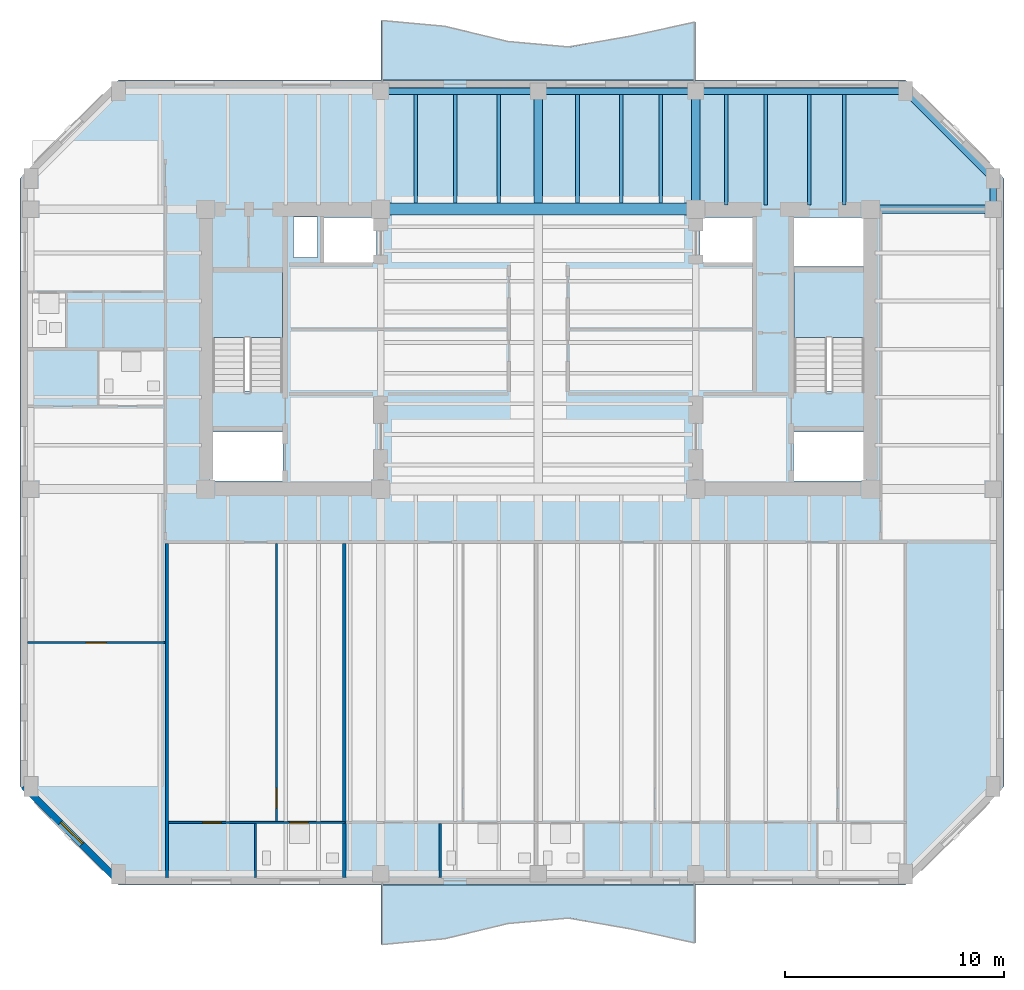
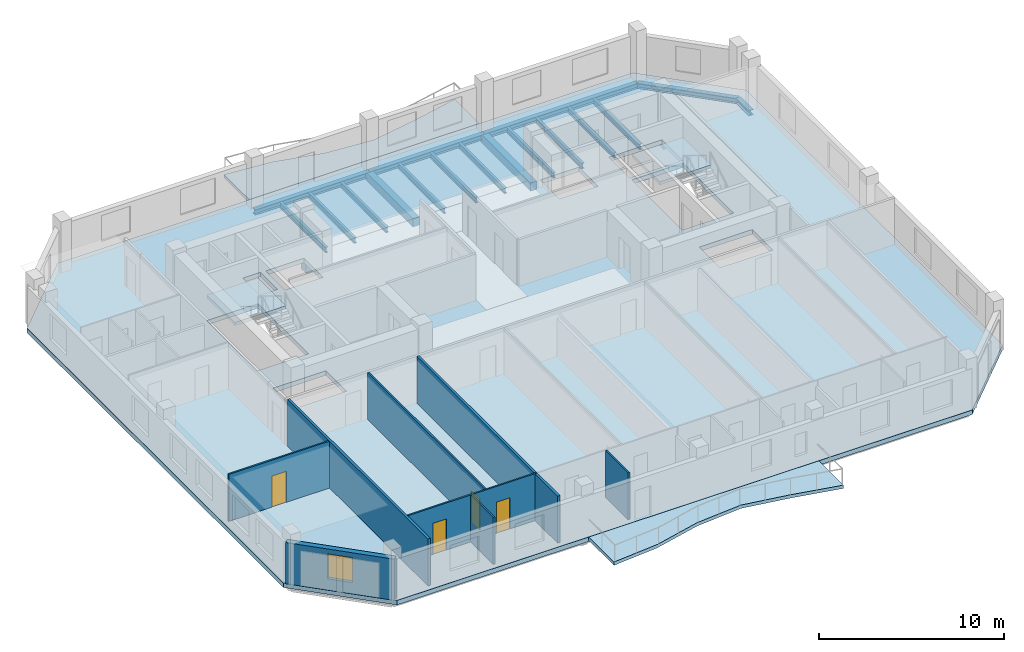
# One storey, part 2 of 11: 19 beams, 8 walls, 5 slabs, 4 doors, 1 window, 5 openings, 2 elements without a shape of their own.
"""IFC4 building model written with IfcOpenShell, lengths in metres."""

from ifc_helpers import new_model, si_unit, direction, frame, frame_2d, origin, origin_2d, place, context, subcontext, project, spatial, polyline, rectangle, i_section, outline, extrude, material, layer, layer_set, material_profile, profile_set, type_object, element, fill, aggregate, save


model = new_model("IFC4")

# Units and contexts
model_context = context("Model", 3, precision=1e-05, world=origin(), true_north=direction((0.0, 1.0)))
body_context = subcontext(model_context, "Body", "Model", "MODEL_VIEW")
ifc_project = project(units=[si_unit("LENGTHUNIT", "METRE"), si_unit("AREAUNIT", "SQUARE_METRE"), si_unit("VOLUMEUNIT", "CUBIC_METRE"), si_unit("PLANEANGLEUNIT", "RADIAN"), si_unit("MASSUNIT", "GRAM", prefix="KILO")], contexts=[model_context])

# Site, building, storey
site_placement = place(None, origin())
site = spatial("IfcSite", under=ifc_project, at=site_placement, CompositionType="ELEMENT")
building_placement = place(site_placement, origin())
building = spatial("IfcBuilding", under=site, at=building_placement, Name="Kranthara Brick Stack", CompositionType="ELEMENT")
storey_placement = place(building_placement, frame((0.0, 0.0, 221.10009765625)))
storey = spatial("IfcBuildingStorey", under=building, at=storey_placement, Name="L57", CompositionType="ELEMENT", Elevation=221.10009765625)

# Beams
ifc_material_1 = material(Name="Concrete C50/60", Category="concrete")
ifc_material_profile_1 = material_profile(ifc_material_1, rectangle(XDim=0.550048828125, YDim=0.85009765625, at=origin_2d()), Name="RC 550x850")
ifc_profile_set_1 = profile_set([ifc_material_profile_1], Name="Concrete C50/60")
beam_type_1 = type_object("IfcBeamType", Name="BM-CPL-RC850", PredefinedType="LINTEL", material=ifc_profile_set_1)
beam_1_placement = place(storey_placement, frame((20.800048828125, 33.60009765625, -0.72509765625), z_axis=(1.0, 0.0, 0.0), x_axis=(0.0, 1.0, 0.0)))
element("IfcBeam", 1, at=beam_1_placement, inside=storey, type_object=beam_type_1, Name="L57 Core Coupling Beam 002", PredefinedType="LINTEL", context=body_context, shape_type="SweptSolid", body=[
    extrude(rectangle(XDim=0.550048828125, YDim=0.85009765625, at=origin_2d()), origin(), (0.0, 0.0, 1.0), 14.39990234375),
])
ifc_material_2 = material(Name="Post-tensioned concrete C45/55", Category="concrete")
ifc_material_profile_2 = material_profile(ifc_material_2, rectangle(XDim=0.39990234375, YDim=0.550048828125, at=origin_2d()), Name="PT 400x550")
ifc_profile_set_2 = profile_set([ifc_material_profile_2], Name="Post-tensioned concrete C45/55")
beam_type_2 = type_object("IfcBeamType", Name="BM-FLR-PT550", PredefinedType="BEAM", material=ifc_profile_set_2)
beam_2_placement = place(storey_placement, frame((28.0, 33.875, -0.5751953125), z_axis=(0.0, 1.0, 0.0), x_axis=(-1.0, 0.0, 0.0)))
element("IfcBeam", 2, at=beam_2_placement, inside=storey, type_object=beam_type_2, Name="L57 Primary Grid Girder 027", PredefinedType="BEAM", context=body_context, shape_type="SweptSolid", body=[
    extrude(rectangle(XDim=0.39990234375, YDim=0.550048828125, at=origin_2d()), origin(), (0.0, 0.0, 1.0), 5.125),
])
beam_3_placement = place(storey_placement, frame((35.199951171875, 33.60009765625, -0.5751953125), z_axis=(0.0, 1.0, 0.0), x_axis=(-1.0, 0.0, 0.0)))
element("IfcBeam", 3, at=beam_3_placement, inside=storey, type_object=beam_type_2, Name="L57 Primary Grid Girder 029", PredefinedType="BEAM", context=body_context, shape_type="SweptSolid", body=[
    extrude(rectangle(XDim=0.39990234375, YDim=0.550048828125, at=origin_2d()), origin(), (0.0, 0.0, 1.0), 5.39990234375),
])
beam_4_placement = place(storey_placement, frame((43.199951171875, 33.60009765625, -0.5751953125), z_axis=(1.0, 0.0, 0.0), x_axis=(0.0, 1.0, 0.0)))
element("IfcBeam", 4, at=beam_4_placement, inside=storey, type_object=beam_type_2, Name="L57 Primary Grid Girder 033", PredefinedType="BEAM", context=body_context, shape_type="SweptSolid", body=[
    extrude(rectangle(XDim=0.39990234375, YDim=0.550048828125, at=origin_2d()), origin(), (0.0, 0.0, 1.0), 5.60009765625),
])
ifc_material_3 = material(Name="Steel S355", Category="steel")
ifc_material_profile_3 = material_profile(ifc_material_3, i_section(OverallWidth=0.169921875, OverallDepth=0.360107421875, WebThickness=0.008056640625, FlangeThickness=0.0126953125, at=origin_2d()), Name="IPE 360")
ifc_profile_set_3 = profile_set([ifc_material_profile_3], Name="Steel S355")
beam_type_3 = type_object("IfcBeamType", Name="BM-JST-IPE360", PredefinedType="JOIST", material=ifc_profile_set_3)
for number, where, z_axis, x_axis, name in (
    (5, (22.39990234375, 33.875, -0.47998046875), (0.0, 1.0, 0.0), (-1.0, 0.0, 0.0), "L57 North Wing Floor Joist 063"),
    (6, (24.199951171875, 33.875, -0.47998046875), (0.0, 1.0, 0.0), (-1.0, 0.0, 0.0), "L57 North Wing Floor Joist 065"),
    (7, (26.199951171875, 33.875, -0.47998046875), (0.0, 1.0, 0.0), (-1.0, 0.0, 0.0), "L57 North Wing Floor Joist 067"),
    (8, (29.800048828125, 33.875, -0.47998046875), (0.0, 1.0, 0.0), (-1.0, 0.0, 0.0), "L57 North Wing Floor Joist 069"),
    (9, (31.800048828125, 33.875, -0.47998046875), (0.0, 1.0, 0.0), (-1.0, 0.0, 0.0), "L57 North Wing Floor Joist 071"),
    (10, (33.60009765625, 33.875, -0.47998046875), (0.0, 1.0, 0.0), (-1.0, 0.0, 0.0), "L57 North Wing Floor Joist 073"),
):
    element("IfcBeam", number, at=place(storey_placement, frame(where, z_axis=z_axis, x_axis=x_axis)), inside=storey, type_object=beam_type_3, Name=name, PredefinedType="JOIST", context=body_context, shape_type="SweptSolid", body=[
        extrude(i_section(OverallWidth=0.169921875, OverallDepth=0.360107421875, WebThickness=0.008056640625, FlangeThickness=0.0126953125, at=origin_2d()), origin(), (0.0, 0.0, 1.0), 4.97509765625),
    ])
for number, where, z_axis, x_axis, name in (
    (11, (36.60009765625, 33.800048828125, -0.47998046875), (0.0, 1.0, 0.0), (-1.0, 0.0, 0.0), "L57 North Wing Floor Joist 075"),
    (12, (38.39990234375, 33.800048828125, -0.47998046875), (0.0, 1.0, 0.0), (-1.0, 0.0, 0.0), "L57 North Wing Floor Joist 077"),
    (13, (40.39990234375, 33.800048828125, -0.47998046875), (0.0, 1.0, 0.0), (-1.0, 0.0, 0.0), "L57 North Wing Floor Joist 079"),
    (14, (42.0, 33.800048828125, -0.47998046875), (0.0, 1.0, 0.0), (-1.0, 0.0, 0.0), "L57 North Wing Floor Joist 081"),
):
    element("IfcBeam", number, at=place(storey_placement, frame(where, z_axis=z_axis, x_axis=x_axis)), inside=storey, type_object=beam_type_3, Name=name, PredefinedType="JOIST", context=body_context, shape_type="SweptSolid", body=[
        extrude(i_section(OverallWidth=0.169921875, OverallDepth=0.360107421875, WebThickness=0.008056640625, FlangeThickness=0.0126953125, at=origin_2d()), origin(), (0.0, 0.0, 1.0), 5.050048828125),
    ])
ifc_material_4 = material(Name="Steel S355", Category="steel")
ifc_material_profile_4 = material_profile(ifc_material_4, i_section(OverallWidth=0.300048828125, OverallDepth=0.360107421875, WebThickness=0.012451171875, FlangeThickness=0.0224609375, at=origin_2d()), Name="HEB 360")
ifc_profile_set_4 = profile_set([ifc_material_profile_4], Name="Steel S355")
beam_type_4 = type_object("IfcBeamType", Name="BM-STL-HEB360", PredefinedType="SPANDREL", material=ifc_profile_set_4)
for number, where, z_axis, x_axis, name in (
    (15, (20.800048828125, 39.0, -0.47998046875), (1.0, 0.0, 0.0), (0.0, 1.0, 0.0), "L57 Perimeter Spandrel Beam 010"),
    (16, (28.0, 39.0, -0.47998046875), (1.0, 0.0, 0.0), (0.0, 1.0, 0.0), "L57 Perimeter Spandrel Beam 011"),
):
    element("IfcBeam", number, at=place(storey_placement, frame(where, z_axis=z_axis, x_axis=x_axis)), inside=storey, type_object=beam_type_4, Name=name, PredefinedType="SPANDREL", context=body_context, shape_type="SweptSolid", body=[
        extrude(i_section(OverallWidth=0.300048828125, OverallDepth=0.360107421875, WebThickness=0.012451171875, FlangeThickness=0.0224609375, at=origin_2d()), origin(), (0.0, 0.0, 1.0), 7.199951171875),
    ])
beam_5_placement = place(storey_placement, frame((35.199951171875, 39.0, -0.47998046875), z_axis=(1.0, 0.0, 0.0), x_axis=(0.0, 1.0, 0.0)))
element("IfcBeam", 17, at=beam_5_placement, inside=storey, type_object=beam_type_4, Name="L57 Perimeter Spandrel Beam 012", PredefinedType="SPANDREL", context=body_context, shape_type="SweptSolid", body=[
    extrude(i_section(OverallWidth=0.300048828125, OverallDepth=0.360107421875, WebThickness=0.012451171875, FlangeThickness=0.0224609375, at=origin_2d()), origin(), (0.0, 0.0, 1.0), 9.60009765625),
])
beam_6_placement = place(storey_placement, frame((48.800048828125, 33.60009765625, -0.47998046875), z_axis=(0.0, 1.0, 0.0), x_axis=(-1.0, 0.0, 0.0)))
element("IfcBeam", 18, at=beam_6_placement, inside=storey, type_object=beam_type_4, Name="L57 Perimeter Spandrel Beam 018", PredefinedType="SPANDREL", context=body_context, shape_type="SweptSolid", body=[
    extrude(i_section(OverallWidth=0.300048828125, OverallDepth=0.360107421875, WebThickness=0.012451171875, FlangeThickness=0.0224609375, at=origin_2d()), origin(), (0.0, 0.0, 1.0), 1.39990234375),
])
beam_7_placement = place(storey_placement, frame((44.800048828125, 39.0, -0.47998046875), z_axis=(0.707106781187, -0.707106781187, 0.0), x_axis=(0.707106781187, 0.707106781187, 0.0)))
element("IfcBeam", 19, at=beam_7_placement, inside=storey, type_object=beam_type_4, Name="L57 Chamfer Corner Spandrel 022", PredefinedType="SPANDREL", context=body_context, shape_type="SweptSolid", body=[
    extrude(i_section(OverallWidth=0.300048828125, OverallDepth=0.360107421875, WebThickness=0.012451171875, FlangeThickness=0.0224609375, at=origin_2d()), origin(), (0.0, 0.0, 1.0), 5.65673828125),
])

# Slabs
ifc_material_5 = material(Name="Concrete C45/55", Category="concrete")
ifc_layer_1 = layer(ifc_material_5, 0.219970703125)
ifc_layer_set_1 = layer_set([ifc_layer_1], Name="Concrete C45/55")
slab_type_1 = type_object("IfcSlabType", Name="SLB-BALC-220", PredefinedType="FLOOR", material=ifc_layer_set_1)
slab_1_placement = place(storey_placement, frame((0.0, 0.0, -0.22021484375)))
element("IfcSlab", 20, at=slab_1_placement, inside=storey, type_object=slab_type_1, Name="L57 South Rippling Balcony Slab", PredefinedType="FLOOR", context=body_context, shape_type="SweptSolid", body=[
    extrude(outline(polyline([(20.800048828125, 2.699951171875), (35.199951171875, 2.699951171875), (35.199951171875, 0.0390625), (32.320068359375, 0.674560546875), (29.43994140625, 1.184814453125), (26.56005859375, 0.92822265625), (23.679931640625, 0.227294921875), (20.800048828125, -0.036376953125), (20.800048828125, 2.699951171875)])), origin(), (0.0, 0.0, 1.0), 0.22021484375),
])
slab_2_placement = place(storey_placement, frame((0.0, 0.0, -0.22021484375)))
element("IfcSlab", 21, at=slab_2_placement, inside=storey, type_object=slab_type_1, Name="L57 North Rippling Balcony Slab", PredefinedType="FLOOR", context=body_context, shape_type="SweptSolid", body=[
    extrude(outline(polyline([(35.199951171875, 39.5), (20.800048828125, 39.5), (20.800048828125, 42.236328125), (23.679931640625, 41.97265625), (26.56005859375, 41.271728515625), (29.43994140625, 41.01513671875), (32.320068359375, 41.525634765625), (35.199951171875, 42.1611328125), (35.199951171875, 39.5)])), origin(), (0.0, 0.0, 1.0), 0.22021484375),
])

# Stair, slab
ifc_material_6 = material(Name="Concrete C45/55", Category="concrete")
stair_type = type_object("IfcStairType", Name="ST-CORE-20R", PredefinedType="HALF_TURN_STAIR", material=ifc_material_6)
stair_1_placement = place(storey_placement, origin())
stair_1 = element("IfcStair", 22, at=stair_1_placement, inside=storey, type_object=stair_type, Name="L57 West Core Protected Exit Stair ST01", PredefinedType="HALF_TURN_STAIR")
ifc_material_7 = material(Name="Concrete C45/55", Category="concrete")
ifc_layer_2 = layer(ifc_material_7, 0.199951171875)
ifc_layer_set_2 = layer_set([ifc_layer_2], Name="Concrete C45/55")
slab_type_2 = type_object("IfcSlabType", Name="SLB-LANDING-200", PredefinedType="LANDING", material=ifc_layer_set_2)
slab_3_placement = place(storey_placement, frame((0.0, 0.0, 1.5)))
slab_3 = element("IfcSlab", 23, at=slab_3_placement, type_object=slab_type_2, Name="ST01 landing 1", PredefinedType="LANDING", context=body_context, shape_type="SweptSolid", body=[
    extrude(outline(polyline([(16.300048828125, 27.719970703125), (16.300048828125, 30.75), (13.10009765625, 30.75), (13.10009765625, 27.719970703125), (16.300048828125, 27.719970703125)])), origin(), (0.0, 0.0, 1.0), 0.199951171875),
])
aggregate(stair_1, [slab_3])

stair_2_placement = place(storey_placement, origin())
stair_2 = element("IfcStair", 24, at=stair_2_placement, inside=storey, type_object=stair_type, Name="L57 East Core Protected Exit Stair ST02", PredefinedType="HALF_TURN_STAIR")
slab_4_placement = place(storey_placement, frame((0.0, 0.0, 1.5)))
slab_4 = element("IfcSlab", 25, at=slab_4_placement, type_object=slab_type_2, Name="ST02 landing 1", PredefinedType="LANDING", context=body_context, shape_type="SweptSolid", body=[
    extrude(outline(polyline([(42.89990234375, 27.719970703125), (42.89990234375, 30.75), (39.699951171875, 30.75), (39.699951171875, 27.719970703125), (42.89990234375, 27.719970703125)])), origin(), (0.0, 0.0, 1.0), 0.199951171875),
])
aggregate(stair_2, [slab_4])

# Slab
ifc_material_8 = material(Name="Post-tensioned concrete C45/55", Category="concrete")
ifc_layer_3 = layer(ifc_material_8, 0.300048828125)
ifc_layer_set_3 = layer_set([ifc_layer_3], Name="Post-tensioned concrete C45/55")
slab_type_3 = type_object("IfcSlabType", Name="SLB-TWR-300", PredefinedType="FLOOR", material=ifc_layer_set_3)
slab_5_placement = place(storey_placement, frame((0.0, 0.0, -0.300048828125)))
element("IfcSlab", 26, at=slab_5_placement, inside=storey, type_object=slab_type_3, Name="L57 Structural Floor Plate", PredefinedType="FLOOR", context=body_context, shape_type="SweptSolid", body=[
    extrude(outline(polyline([(8.800048828125, 2.699951171875), (44.800048828125, 2.699951171875), (49.300048828125, 7.199951171875), (49.300048828125, 35.0), (44.800048828125, 39.5), (8.800048828125, 39.5), (4.300048828125, 35.0), (4.300048828125, 7.199951171875), (8.800048828125, 2.699951171875)]), holes=[polyline([(13.10009765625, 25.280029296875), (16.300048828125, 25.280029296875), (16.300048828125, 30.75), (13.10009765625, 30.75), (13.10009765625, 25.280029296875)]), polyline([(39.699951171875, 25.280029296875), (42.89990234375, 25.280029296875), (42.89990234375, 30.75), (39.699951171875, 30.75), (39.699951171875, 25.280029296875)]), polyline([(13.0, 21.179931640625), (16.320068359375, 21.179931640625), (16.320068359375, 23.419921875), (13.0, 23.419921875), (13.0, 21.179931640625)]), polyline([(39.679931640625, 21.179931640625), (43.0, 21.179931640625), (43.0, 23.419921875), (39.679931640625, 23.419921875), (39.679931640625, 21.179931640625)]), polyline([(39.679931640625, 30.97998046875), (43.0, 30.97998046875), (43.0, 33.219970703125), (39.679931640625, 33.219970703125), (39.679931640625, 30.97998046875)]), polyline([(18.199951171875, 31.14990234375), (20.60009765625, 31.14990234375), (20.60009765625, 33.219970703125), (18.199951171875, 33.219970703125), (18.199951171875, 31.14990234375)]), polyline([(35.39990234375, 31.14990234375), (37.800048828125, 31.14990234375), (37.800048828125, 33.219970703125), (35.39990234375, 33.219970703125), (35.39990234375, 31.14990234375)]), polyline([(16.800048828125, 31.39990234375), (17.89990234375, 31.39990234375), (17.89990234375, 33.25), (16.800048828125, 33.25), (16.800048828125, 31.39990234375)])]), origin(), (0.0, 0.0, 1.0), 0.300048828125),
])

# Wall, opening, window
ifc_material_9 = material(Name="Warm buff clay brick masonry M15", Category="masonry")
ifc_layer_4 = layer(ifc_material_9, 0.320068359375)
ifc_layer_set_4 = layer_set([ifc_layer_4], Name="Warm buff clay brick masonry M15")
wall_type_1 = type_object("IfcWallType", Name="WL-BRK-UPPR-320", PredefinedType="STANDARD", material=ifc_layer_set_4)
wall_1_placement = place(storey_placement, frame((8.800048828125, 2.8798828125, 0.0), z_axis=(0.0, 0.0, 1.0), x_axis=(-0.707106781187, 0.707106781187, 0.0)))
wall_1 = element("IfcWall", 27, at=wall_1_placement, inside=storey, type_object=wall_type_1, Name="L57 Exterior Brick Facade Wall SW 1", PredefinedType="STANDARD", context=body_context, shape_type="SweptSolid", body=[
    extrude(rectangle(XDim=6.109619140625, YDim=0.320068359375, at=frame_2d((3.0546875, 0.0))), origin(), (0.0, 0.0, 1.0), 2.724853515625),
])
opening_1_placement = place(wall_1_placement, frame((2.35498046875, 0.0, 0.75)))
opening_1 = element("IfcOpeningElement", 28, at=opening_1_placement, cuts=wall_1, Name="Opening WN10", PredefinedType="OPENING", context=body_context, shape_type="SweptSolid", body=[
    extrude(rectangle(XDim=1.39990234375, YDim=1.64990234375, at=frame_2d((0.699951171875, 0.824951171875))), frame((0.0, 0.169921875, 0.0), z_axis=(0.0, -1.0, 0.0), x_axis=(1.0, 0.0, 0.0)), (0.0, 0.0, 1.0), 0.340087890625),
])
ifc_material_10 = material(Name="Double-glazed low-E solar control glass", Category="glass")
window_type = type_object("IfcWindowType", Name="WN-CHM-1400x1750", PartitioningType="SINGLE_PANEL", PredefinedType="WINDOW", material=ifc_material_10)
window_placement = place(opening_1_placement, origin())
window = element("IfcWindow", 29, at=window_placement, inside=storey, type_object=window_type, Name="L57 SW Chamfer Corner Window", OverallHeight=1.64990234375, OverallWidth=1.39990234375, PartitioningType="SINGLE_PANEL", PredefinedType="WINDOW", context=body_context, shape_type="SweptSolid", body=[
    extrude(rectangle(XDim=1.39990234375, YDim=1.64990234375, at=frame_2d((0.699951171875, 0.824951171875))), frame((0.0, -0.010009765625, 0.0), z_axis=(0.0, -1.0, 0.0), x_axis=(1.0, 0.0, 0.0)), (0.0, 0.0, 1.0), 0.06005859375),
])
fill(opening_1, window)

# Wall, openings, doors
ifc_material_11 = material(Name="Moisture-resistant wet-room partition", Category="other")
ifc_layer_5 = layer(ifc_material_11, 0.10009765625)
ifc_layer_set_5 = layer_set([ifc_layer_5], Name="Moisture-resistant wet-room partition")
wall_type_2 = type_object("IfcWallType", Name="WL-PART-100", PredefinedType="PARTITIONING", material=ifc_layer_set_5)
wall_2_placement = place(storey_placement, frame((11.10009765625, 5.550048828125, 0.0), z_axis=(0.0, 0.0, 1.0), x_axis=(1.0, 0.0, 0.0)))
wall_2 = element("IfcWall", 30, at=wall_2_placement, inside=storey, type_object=wall_type_2, Name="L57 Interior Partition 012", PredefinedType="PARTITIONING", context=body_context, shape_type="SweptSolid", body=[
    extrude(rectangle(XDim=8.06689453125, YDim=0.10009765625, at=frame_2d((4.033447265625, 0.0))), origin(), (0.0, 0.0, 1.0), 3.099853515625),
])
opening_2_placement = place(wall_2_placement, frame((1.56201171875, 0.0, 0.0)))
opening_2 = element("IfcOpeningElement", 31, at=opening_2_placement, cuts=wall_2, Name="Opening D16", PredefinedType="OPENING", context=body_context, shape_type="SweptSolid", body=[
    extrude(rectangle(XDim=0.85009765625, YDim=2.050048828125, at=frame_2d((0.425048828125, 1.02490234375))), frame((0.0, 0.06005859375, 0.0), z_axis=(0.0, -1.0, 0.0), x_axis=(1.0, 0.0, 0.0)), (0.0, 0.0, 1.0), 0.1201171875),
])
opening_3_placement = place(wall_2_placement, frame((5.534912109375, 0.0, 0.0)))
opening_3 = element("IfcOpeningElement", 32, at=opening_3_placement, cuts=wall_2, Name="Opening D17", PredefinedType="OPENING", context=body_context, shape_type="SweptSolid", body=[
    extrude(rectangle(XDim=0.85009765625, YDim=2.050048828125, at=frame_2d((0.425048828125, 1.02490234375))), frame((0.0, 0.06005859375, 0.0), z_axis=(0.0, -1.0, 0.0), x_axis=(1.0, 0.0, 0.0)), (0.0, 0.0, 1.0), 0.1201171875),
])
ifc_material_12 = material(Name="Solid-core hardwood timber leaf in steel frame", Category="steel")
door_type_1 = type_object("IfcDoorType", Name="DR-INT-850", OperationType="NOTDEFINED", PredefinedType="DOOR", material=ifc_material_12)
door_1_placement = place(opening_2_placement, origin())
door_1 = element("IfcDoor", 33, at=door_1_placement, inside=storey, type_object=door_type_1, Name="L57 Unit L57A Kitchen 10", OperationType="SINGLE_SWING_RIGHT", OverallHeight=2.050048828125, OverallWidth=0.85009765625, PredefinedType="DOOR", context=body_context, shape_type="SweptSolid", body=[
    extrude(rectangle(XDim=0.85009765625, YDim=2.050048828125, at=frame_2d((0.425048828125, 1.02490234375))), frame((0.0, 0.02490234375, 0.0), z_axis=(0.0, -1.0, 0.0), x_axis=(1.0, 0.0, 0.0)), (0.0, 0.0, 1.0), 0.050048828125),
])
fill(opening_2, door_1)
ifc_material_13 = material(Name="Solid-core hardwood timber leaf in steel frame", Category="steel")
door_type_2 = type_object("IfcDoorType", Name="DR-WET-850", OperationType="NOTDEFINED", PredefinedType="DOOR", material=ifc_material_13)
door_2_placement = place(opening_3_placement, origin())
door_2 = element("IfcDoor", 34, at=door_2_placement, inside=storey, type_object=door_type_2, Name="L57 Unit L57A Bathroom 11", OperationType="SINGLE_SWING_LEFT", OverallHeight=2.050048828125, OverallWidth=0.85009765625, PredefinedType="DOOR", context=body_context, shape_type="SweptSolid", body=[
    extrude(rectangle(XDim=0.85009765625, YDim=2.050048828125, at=frame_2d((0.425048828125, 1.02490234375))), frame((0.0, 0.02490234375, 0.0), z_axis=(0.0, -1.0, 0.0), x_axis=(1.0, 0.0, 0.0)), (0.0, 0.0, 1.0), 0.050048828125),
])
fill(opening_3, door_2)

# Wall, opening, door
wall_3_placement = place(storey_placement, frame((16.027099609375, 5.60498046875, 0.0), z_axis=(0.0, 0.0, 1.0), x_axis=(0.0, 1.0, 0.0)))
wall_3 = element("IfcWall", 35, at=wall_3_placement, inside=storey, type_object=wall_type_2, Name="L57 Interior Partition 013", PredefinedType="PARTITIONING", context=body_context, shape_type="SweptSolid", body=[
    extrude(rectangle(XDim=12.695068359375, YDim=0.10009765625, at=frame_2d((6.34765625, 0.0))), origin(), (0.0, 0.0, 1.0), 3.099853515625),
])
opening_4_placement = place(wall_3_placement, frame((0.60498046875, 0.0, 0.0)))
opening_4 = element("IfcOpeningElement", 36, at=opening_4_placement, cuts=wall_3, Name="Opening D15", PredefinedType="OPENING", context=body_context, shape_type="SweptSolid", body=[
    extrude(rectangle(XDim=0.89990234375, YDim=2.050048828125, at=frame_2d((0.449951171875, 1.02490234375))), frame((0.0, 0.06005859375, 0.0), z_axis=(0.0, -1.0, 0.0), x_axis=(1.0, 0.0, 0.0)), (0.0, 0.0, 1.0), 0.1201171875),
])
ifc_material_14 = material(Name="Solid-core hardwood timber leaf in steel frame", Category="steel")
door_type_3 = type_object("IfcDoorType", Name="DR-INT-900", OperationType="NOTDEFINED", PredefinedType="DOOR", material=ifc_material_14)
door_3_placement = place(opening_4_placement, origin())
door_3 = element("IfcDoor", 37, at=door_3_placement, inside=storey, type_object=door_type_3, Name="L57 Unit L57A Study 09", OperationType="SINGLE_SWING_LEFT", OverallHeight=2.050048828125, OverallWidth=0.89990234375, PredefinedType="DOOR", context=body_context, shape_type="SweptSolid", body=[
    extrude(rectangle(XDim=0.89990234375, YDim=2.050048828125, at=frame_2d((0.449951171875, 1.02490234375))), frame((0.0, 0.02490234375, 0.0), z_axis=(0.0, -1.0, 0.0), x_axis=(1.0, 0.0, 0.0)), (0.0, 0.0, 1.0), 0.050048828125),
])
fill(opening_4, door_3)

# Walls
for number, where, z_axis, x_axis, name in (
    (38, (15.072998046875, 3.044921875, 0.0), (0.0, 0.0, 1.0), (0.0, 1.0, 0.0), "L57 Interior Partition 014"),
    (39, (23.51806640625, 3.044921875, 0.0), (0.0, 0.0, 1.0), (0.0, 1.0, 0.0), "L57 Interior Partition 018"),
):
    element("IfcWall", number, at=place(storey_placement, frame(where, z_axis=z_axis, x_axis=x_axis)), inside=storey, type_object=wall_type_2, Name=name, PredefinedType="PARTITIONING", context=body_context, shape_type="SweptSolid", body=[
        extrude(rectangle(XDim=2.4501953125, YDim=0.10009765625, at=frame_2d((1.22509765625, 0.0))), origin(), (0.0, 0.0, 1.0), 3.099853515625),
    ])

# Wall, opening, door
wall_4_placement = place(storey_placement, frame((4.64501953125, 13.778076171875, 0.0), z_axis=(0.0, 0.0, 1.0), x_axis=(1.0, 0.0, 0.0)))
wall_4 = element("IfcWall", 40, at=wall_4_placement, inside=storey, type_object=wall_type_2, Name="L57 Interior Partition 036", PredefinedType="PARTITIONING", context=body_context, shape_type="SweptSolid", body=[
    extrude(rectangle(XDim=6.294921875, YDim=0.10009765625, at=frame_2d((3.1474609375, 0.0))), origin(), (0.0, 0.0, 1.0), 3.099853515625),
])
opening_5_placement = place(wall_4_placement, frame((2.696044921875, 0.0, 0.0)))
opening_5 = element("IfcOpeningElement", 41, at=opening_5_placement, cuts=wall_4, Name="Opening D15", PredefinedType="OPENING", context=body_context, shape_type="SweptSolid", body=[
    extrude(rectangle(XDim=0.89990234375, YDim=2.050048828125, at=frame_2d((0.449951171875, 1.02490234375))), frame((0.0, 0.06005859375, 0.0), z_axis=(0.0, -1.0, 0.0), x_axis=(1.0, 0.0, 0.0)), (0.0, 0.0, 1.0), 0.1201171875),
])
door_4_placement = place(opening_5_placement, origin())
door_4 = element("IfcDoor", 42, at=door_4_placement, inside=storey, type_object=door_type_3, Name="L57 Unit L57E Study 26", OperationType="SINGLE_SWING_RIGHT", OverallHeight=2.050048828125, OverallWidth=0.89990234375, PredefinedType="DOOR", context=body_context, shape_type="SweptSolid", body=[
    extrude(rectangle(XDim=0.89990234375, YDim=2.050048828125, at=frame_2d((0.449951171875, 1.02490234375))), frame((0.0, 0.02490234375, 0.0), z_axis=(0.0, -1.0, 0.0), x_axis=(1.0, 0.0, 0.0)), (0.0, 0.0, 1.0), 0.050048828125),
])
fill(opening_5, door_4)

# Walls
ifc_material_15 = material(Name="Fire-rated gypsum board partition", Category="other")
ifc_layer_6 = layer(ifc_material_15, 0.14990234375)
ifc_layer_set_6 = layer_set([ifc_layer_6], Name="Fire-rated gypsum board partition")
wall_type_3 = type_object("IfcWallType", Name="WL-PART-150", PredefinedType="PARTITIONING", material=ifc_layer_set_6)
for number, where, z_axis, x_axis, name in (
    (43, (11.02001953125, 3.044921875, 0.0), (0.0, 0.0, 1.0), (0.0, 1.0, 0.0), "L57 Interior Partition 011"),
    (44, (19.126953125, 3.044921875, 0.0), (0.0, 0.0, 1.0), (0.0, 1.0, 0.0), "L57 Interior Partition 015"),
):
    element("IfcWall", number, at=place(storey_placement, frame(where, z_axis=z_axis, x_axis=x_axis)), inside=storey, type_object=wall_type_3, Name=name, PredefinedType="PARTITIONING", context=body_context, shape_type="SweptSolid", body=[
        extrude(rectangle(XDim=15.255126953125, YDim=0.14990234375, at=frame_2d((7.62744140625, 0.0))), origin(), (0.0, 0.0, 1.0), 3.099853515625),
    ])

save(model, "model.ifc")
